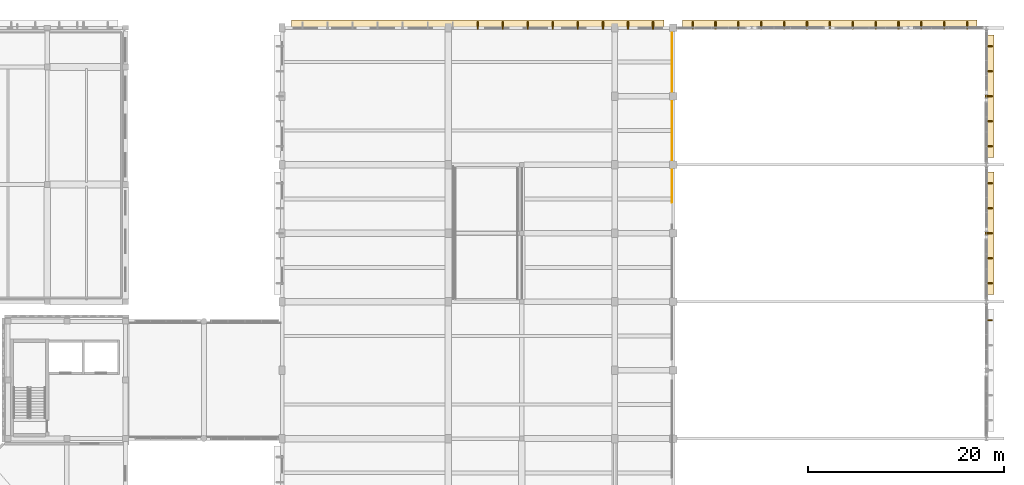
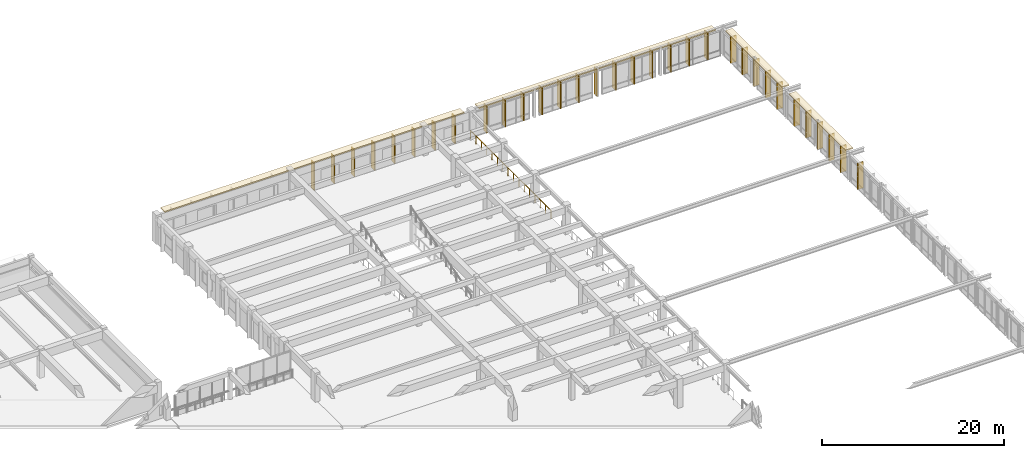
# One storey, part 98 of 98: 36 coverings, 1 railing.
"""IFC4 building model written with IfcOpenShell, lengths in metres."""

from ifc_helpers import new_model, si_unit, direction, frame, origin, origin_2d, place, context, subcontext, project, spatial, rectangle, circle, extrude, material, layer, layer_set, type_object, element, save


model = new_model("IFC4")

# Units and contexts
model_context = context("Model", 3, precision=1e-05, world=origin(), true_north=direction((0.0, 1.0)))
body_context = subcontext(model_context, "Body", "Model", "MODEL_VIEW")
ifc_project = project(units=[si_unit("LENGTHUNIT", "METRE"), si_unit("AREAUNIT", "SQUARE_METRE"), si_unit("VOLUMEUNIT", "CUBIC_METRE"), si_unit("PLANEANGLEUNIT", "RADIAN"), si_unit("MASSUNIT", "GRAM", prefix="KILO")], contexts=[model_context])

# Site, building, storey
site_placement = place(None, origin())
site = spatial("IfcSite", under=ifc_project, at=site_placement, CompositionType="ELEMENT")
building_placement = place(site_placement, origin())
building = spatial("IfcBuilding", under=site, at=building_placement, Name="Larkveld Mobility Hub", CompositionType="ELEMENT")
storey_placement = place(building_placement, frame((0.0, 0.0, 4.5)))
storey = spatial("IfcBuildingStorey", under=building, at=storey_placement, Name="L01", CompositionType="ELEMENT", Elevation=4.5)

# Coverings
ifc_material_1 = material(Name="Precast concrete C50/60", Category="concrete")
ifc_layer_1 = layer(ifc_material_1, 0.14990234375, Name="Precast concrete C50/60", Category="concrete")
ifc_layer_set_1 = layer_set([ifc_layer_1], Name="Precast concrete C50/60")
covering_type_1 = type_object("IfcCoveringType", Name="COV-QSL-H01", PredefinedType="CLADDING", material=ifc_layer_set_1)
for number, where, z_axis, x_axis, name in (
    (1, (184.340087890625, 105.0, 3.550048828125), (0.0, 0.0, 1.0), (0.0, 1.0, 0.0), "Precast Quebra-Sol Horizontal Sunbreaker QSH-031"),
    (2, (184.340087890625, 119.0, 3.550048828125), (0.0, 0.0, 1.0), (0.0, 1.0, 0.0), "Precast Quebra-Sol Horizontal Sunbreaker QSH-037"),
):
    element("IfcCovering", number, at=place(storey_placement, frame(where, z_axis=z_axis, x_axis=x_axis)), inside=storey, type_object=covering_type_1, Name=name, PredefinedType="CLADDING", context=body_context, shape_type="SweptSolid", body=[
        extrude(rectangle(XDim=12.5, YDim=0.919921875, at=origin_2d()), origin(), (0.0, 0.0, 1.0), 0.14990234375),
    ])
covering_1_placement = place(storey_placement, frame((168.0, 126.340087890625, 3.60009765625), z_axis=(0.0, 0.0, 1.0), x_axis=(-1.0, 0.0, 0.0)))
element("IfcCovering", 3, at=covering_1_placement, inside=storey, type_object=covering_type_1, Name="Precast Quebra-Sol Horizontal Sunbreaker QSH-043", PredefinedType="CLADDING", context=body_context, shape_type="SweptSolid", body=[
    extrude(rectangle(XDim=30.10009765625, YDim=0.919921875, at=origin_2d()), origin(), (0.0, 0.0, 1.0), 0.14990234375),
])
covering_2_placement = place(storey_placement, frame((132.0, 126.340087890625, 3.670166015625), z_axis=(0.0, 0.0, 1.0), x_axis=(-1.0, 0.0, 0.0)))
element("IfcCovering", 4, at=covering_2_placement, inside=storey, type_object=covering_type_1, Name="Precast Quebra-Sol Horizontal Sunbreaker QSH-433", PredefinedType="CLADDING", context=body_context, shape_type="SweptSolid", body=[
    extrude(rectangle(XDim=38.10009765625, YDim=0.919921875, at=origin_2d()), origin(), (0.0, 0.0, 1.0), 0.14990234375),
])
ifc_layer_2 = layer(ifc_material_1, 0.1201171875, Name="Precast concrete C50/60", Category="concrete")
ifc_layer_set_2 = layer_set([ifc_layer_2], Name="Precast concrete C50/60")
covering_type_2 = type_object("IfcCoveringType", Name="COV-QSL-V01", PredefinedType="CLADDING", material=ifc_layer_set_2)
for number, where, z_axis, x_axis, name in (
    (5, (184.239990234375, 96.1201171875, -0.01953125), (0.0, 0.0, 1.0), (0.0, 1.0, 0.0), "Precast Quebra-Sol Vertical Fin QSV-030"),
    (6, (184.239990234375, 99.8798828125, -0.01953125), (0.0, 0.0, 1.0), (0.0, 1.0, 0.0), "Precast Quebra-Sol Vertical Fin QSV-032"),
    (7, (184.239990234375, 102.43994140625, -0.01953125), (0.0, 0.0, 1.0), (0.0, 1.0, 0.0), "Precast Quebra-Sol Vertical Fin QSV-033"),
    (8, (184.239990234375, 105.0, -0.01953125), (0.0, 0.0, 1.0), (0.0, 1.0, 0.0), "Precast Quebra-Sol Vertical Fin QSV-034"),
    (9, (184.239990234375, 107.56005859375, -0.01953125), (0.0, 0.0, 1.0), (0.0, 1.0, 0.0), "Precast Quebra-Sol Vertical Fin QSV-035"),
    (10, (184.239990234375, 110.1201171875, -0.01953125), (0.0, 0.0, 1.0), (0.0, 1.0, 0.0), "Precast Quebra-Sol Vertical Fin QSV-036"),
    (11, (184.239990234375, 113.8798828125, -0.01953125), (0.0, 0.0, 1.0), (0.0, 1.0, 0.0), "Precast Quebra-Sol Vertical Fin QSV-038"),
    (12, (184.239990234375, 116.43994140625, -0.01953125), (0.0, 0.0, 1.0), (0.0, 1.0, 0.0), "Precast Quebra-Sol Vertical Fin QSV-039"),
    (13, (184.239990234375, 119.0, -0.01953125), (0.0, 0.0, 1.0), (0.0, 1.0, 0.0), "Precast Quebra-Sol Vertical Fin QSV-040"),
    (14, (184.239990234375, 121.56005859375, -0.01953125), (0.0, 0.0, 1.0), (0.0, 1.0, 0.0), "Precast Quebra-Sol Vertical Fin QSV-041"),
    (15, (184.239990234375, 124.1201171875, -0.01953125), (0.0, 0.0, 1.0), (0.0, 1.0, 0.0), "Precast Quebra-Sol Vertical Fin QSV-042"),
):
    element("IfcCovering", number, at=place(storey_placement, frame(where, z_axis=z_axis, x_axis=x_axis)), inside=storey, type_object=covering_type_2, Name=name, PredefinedType="CLADDING", context=body_context, shape_type="SweptSolid", body=[
        extrude(rectangle(XDim=0.1201171875, YDim=0.719970703125, at=origin_2d()), origin(), (0.0, 0.0, 1.0), 3.554931640625),
    ])
for number, where, z_axis, x_axis, name in (
    (16, (182.031005859375, 126.239990234375, -0.01953125), (0.0, 0.0, 1.0), (-1.0, 0.0, 0.0), "Precast Quebra-Sol Vertical Fin QSV-044"),
    (17, (179.69189453125, 126.239990234375, -0.01953125), (0.0, 0.0, 1.0), (-1.0, 0.0, 0.0), "Precast Quebra-Sol Vertical Fin QSV-045"),
    (18, (177.35400390625, 126.239990234375, -0.01953125), (0.0, 0.0, 1.0), (-1.0, 0.0, 0.0), "Precast Quebra-Sol Vertical Fin QSV-046"),
    (19, (175.014892578125, 126.239990234375, -0.01953125), (0.0, 0.0, 1.0), (-1.0, 0.0, 0.0), "Precast Quebra-Sol Vertical Fin QSV-047"),
    (20, (172.677001953125, 126.239990234375, -0.01953125), (0.0, 0.0, 1.0), (-1.0, 0.0, 0.0), "Precast Quebra-Sol Vertical Fin QSV-048"),
    (21, (170.337890625, 126.239990234375, -0.01953125), (0.0, 0.0, 1.0), (-1.0, 0.0, 0.0), "Precast Quebra-Sol Vertical Fin QSV-049"),
    (22, (168.0, 126.239990234375, -0.01953125), (0.0, 0.0, 1.0), (-1.0, 0.0, 0.0), "Precast Quebra-Sol Vertical Fin QSV-050"),
    (23, (165.662109375, 126.239990234375, -0.01953125), (0.0, 0.0, 1.0), (-1.0, 0.0, 0.0), "Precast Quebra-Sol Vertical Fin QSV-051"),
    (24, (163.322998046875, 126.239990234375, -0.01953125), (0.0, 0.0, 1.0), (-1.0, 0.0, 0.0), "Precast Quebra-Sol Vertical Fin QSV-052"),
    (25, (160.985107421875, 126.239990234375, -0.01953125), (0.0, 0.0, 1.0), (-1.0, 0.0, 0.0), "Precast Quebra-Sol Vertical Fin QSV-053"),
    (26, (158.64599609375, 126.239990234375, -0.01953125), (0.0, 0.0, 1.0), (-1.0, 0.0, 0.0), "Precast Quebra-Sol Vertical Fin QSV-054"),
    (27, (156.30810546875, 126.239990234375, -0.01953125), (0.0, 0.0, 1.0), (-1.0, 0.0, 0.0), "Precast Quebra-Sol Vertical Fin QSV-055"),
    (28, (153.968994140625, 126.239990234375, -0.01953125), (0.0, 0.0, 1.0), (-1.0, 0.0, 0.0), "Precast Quebra-Sol Vertical Fin QSV-056"),
):
    element("IfcCovering", number, at=place(storey_placement, frame(where, z_axis=z_axis, x_axis=x_axis)), inside=storey, type_object=covering_type_2, Name=name, PredefinedType="CLADDING", context=body_context, shape_type="SweptSolid", body=[
        extrude(rectangle(XDim=0.1201171875, YDim=0.719970703125, at=origin_2d()), origin(), (0.0, 0.0, 1.0), 3.60498046875),
    ])
for number, where, z_axis, x_axis, name in (
    (29, (149.919921875, 126.239990234375, -0.0205078125), (0.0, 0.0, 1.0), (-1.0, 0.0, 0.0), "Precast Quebra-Sol Vertical Fin QSV-434"),
    (30, (147.360107421875, 126.239990234375, -0.0205078125), (0.0, 0.0, 1.0), (-1.0, 0.0, 0.0), "Precast Quebra-Sol Vertical Fin QSV-435"),
    (31, (144.800048828125, 126.239990234375, -0.0205078125), (0.0, 0.0, 1.0), (-1.0, 0.0, 0.0), "Precast Quebra-Sol Vertical Fin QSV-436"),
    (32, (142.239990234375, 126.239990234375, -0.0205078125), (0.0, 0.0, 1.0), (-1.0, 0.0, 0.0), "Precast Quebra-Sol Vertical Fin QSV-437"),
    (33, (139.679931640625, 126.239990234375, -0.0205078125), (0.0, 0.0, 1.0), (-1.0, 0.0, 0.0), "Precast Quebra-Sol Vertical Fin QSV-438"),
    (34, (137.1201171875, 126.239990234375, -0.0205078125), (0.0, 0.0, 1.0), (-1.0, 0.0, 0.0), "Precast Quebra-Sol Vertical Fin QSV-439"),
    (35, (134.56005859375, 126.239990234375, -0.0205078125), (0.0, 0.0, 1.0), (-1.0, 0.0, 0.0), "Precast Quebra-Sol Vertical Fin QSV-440"),
    (36, (132.0, 126.239990234375, -0.0205078125), (0.0, 0.0, 1.0), (-1.0, 0.0, 0.0), "Precast Quebra-Sol Vertical Fin QSV-441"),
):
    element("IfcCovering", number, at=place(storey_placement, frame(where, z_axis=z_axis, x_axis=x_axis)), inside=storey, type_object=covering_type_2, Name=name, PredefinedType="CLADDING", context=body_context, shape_type="SweptSolid", body=[
        extrude(rectangle(XDim=0.1201171875, YDim=0.719970703125, at=origin_2d()), origin(), (0.0, 0.0, 1.0), 3.675048828125),
    ])

# Railing
ifc_material_2 = material(Name="Galvanized Steel S355JR void balustrade", Category="steel")
railing_type = type_object("IfcRailingType", Name="RL-GRD-1120", PredefinedType="GUARDRAIL", material=ifc_material_2)
railing_placement = place(storey_placement, frame((151.840087890625, 108.14990234375, 0.0)))
element("IfcRailing", 37, at=railing_placement, inside=storey, type_object=railing_type, Name="Bus Hall Overlook Guard Seg 8 L01-075", PredefinedType="GUARDRAIL", context=body_context, shape_type="SweptSolid", body=[
    extrude(circle(Radius=0.02392578125, at=origin_2d()), frame((0.0, 0.0, 1.09619140625), z_axis=(0.0, 1.0, 0.0), x_axis=(-1.0, 0.0, 0.0)), (0.0, 0.0, 1.0), 17.690185546875),
    extrude(circle(Radius=0.02099609375, at=origin_2d()), origin(), (0.0, 0.0, 1.0), 1.072021484375),
    extrude(circle(Radius=0.02099609375, at=origin_2d()), frame((0.0, 1.179443359375, 0.0)), (0.0, 0.0, 1.0), 1.072021484375),
    extrude(circle(Radius=0.02099609375, at=origin_2d()), frame((0.0, 2.358642578125, 0.0)), (0.0, 0.0, 1.0), 1.072021484375),
    extrude(circle(Radius=0.02099609375, at=origin_2d()), frame((0.0, 3.5380859375, 0.0)), (0.0, 0.0, 1.0), 1.072021484375),
    extrude(circle(Radius=0.02099609375, at=origin_2d()), frame((0.0, 4.71728515625, 0.0)), (0.0, 0.0, 1.0), 1.072021484375),
    extrude(circle(Radius=0.02099609375, at=origin_2d()), frame((0.0, 5.896728515625, 0.0)), (0.0, 0.0, 1.0), 1.072021484375),
    extrude(circle(Radius=0.02099609375, at=origin_2d()), frame((0.0, 7.076171875, 0.0)), (0.0, 0.0, 1.0), 1.072021484375),
    extrude(circle(Radius=0.02099609375, at=origin_2d()), frame((0.0, 8.25537109375, 0.0)), (0.0, 0.0, 1.0), 1.072021484375),
    extrude(circle(Radius=0.02099609375, at=origin_2d()), frame((0.0, 9.434814453125, 0.0)), (0.0, 0.0, 1.0), 1.072021484375),
    extrude(circle(Radius=0.02099609375, at=origin_2d()), frame((0.0, 10.614013671875, 0.0)), (0.0, 0.0, 1.0), 1.072021484375),
    extrude(circle(Radius=0.02099609375, at=origin_2d()), frame((0.0, 11.79345703125, 0.0)), (0.0, 0.0, 1.0), 1.072021484375),
    extrude(circle(Radius=0.02099609375, at=origin_2d()), frame((0.0, 12.972900390625, 0.0)), (0.0, 0.0, 1.0), 1.072021484375),
    extrude(circle(Radius=0.02099609375, at=origin_2d()), frame((0.0, 14.152099609375, 0.0)), (0.0, 0.0, 1.0), 1.072021484375),
    extrude(circle(Radius=0.02099609375, at=origin_2d()), frame((0.0, 15.33154296875, 0.0)), (0.0, 0.0, 1.0), 1.072021484375),
    extrude(circle(Radius=0.02099609375, at=origin_2d()), frame((0.0, 16.5107421875, 0.0)), (0.0, 0.0, 1.0), 1.072021484375),
    extrude(circle(Radius=0.02099609375, at=origin_2d()), frame((0.0, 17.690185546875, 0.0)), (0.0, 0.0, 1.0), 1.072021484375),
])

save(model, "model.ifc")
